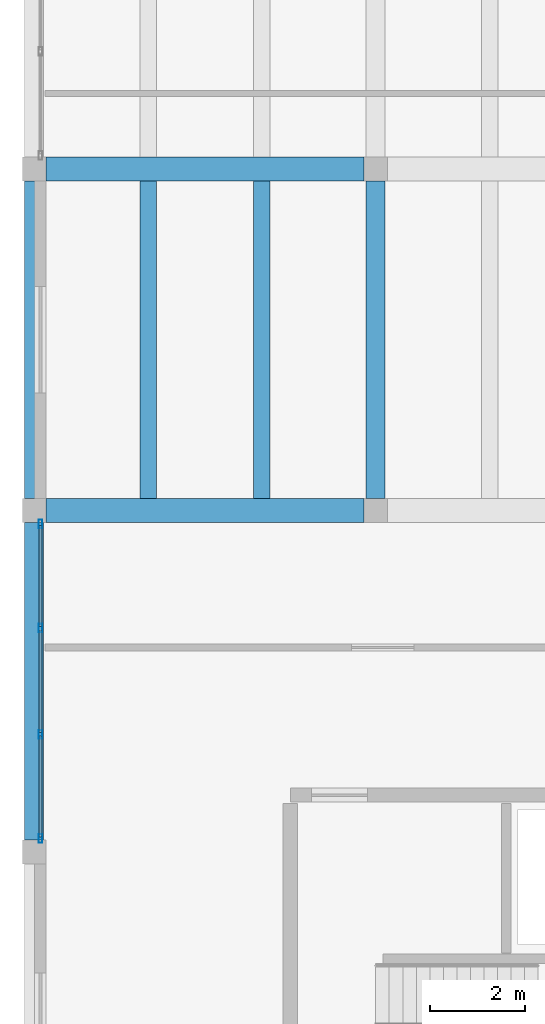
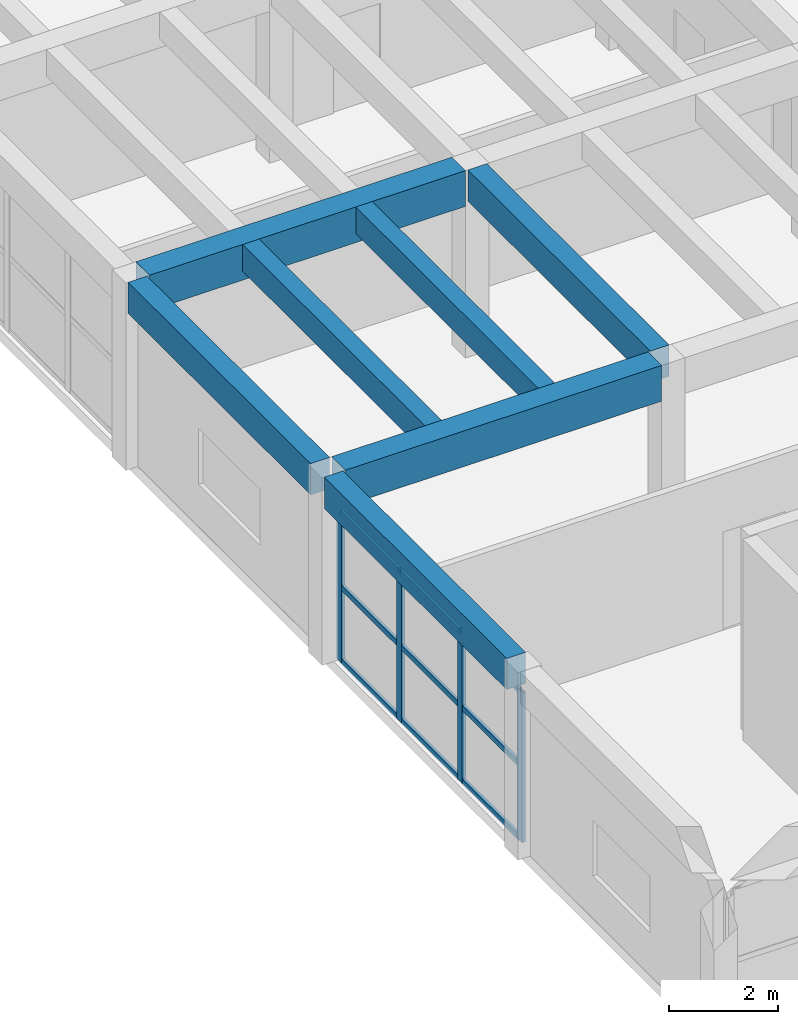
# One storey, part 11 of 153: 13 members, 7 beams, 1 element without a shape of its own.
"""IFC4 building model written with IfcOpenShell, lengths in metres."""

from ifc_helpers import new_model, si_unit, direction, frame, origin, origin_2d, place, context, subcontext, project, spatial, rectangle, hollow_rectangle, extrude, material, material_profile, profile_set, type_object, element, aggregate, save


model = new_model("IFC4")

# Units and contexts
model_context = context("Model", 3, precision=1e-05, world=origin(), true_north=direction((0.0, 1.0)))
body_context = subcontext(model_context, "Body", "Model", "MODEL_VIEW")
ifc_project = project(units=[si_unit("LENGTHUNIT", "METRE"), si_unit("AREAUNIT", "SQUARE_METRE"), si_unit("VOLUMEUNIT", "CUBIC_METRE"), si_unit("PLANEANGLEUNIT", "RADIAN"), si_unit("MASSUNIT", "GRAM", prefix="KILO")], contexts=[model_context])

# Site, building, storey
site_placement = place(None, origin())
site = spatial("IfcSite", under=ifc_project, at=site_placement, CompositionType="ELEMENT")
building_placement = place(site_placement, origin())
building = spatial("IfcBuilding", under=site, at=building_placement, Name="Bramvelor Terrace Health Centre", CompositionType="ELEMENT")
storey_placement = place(building_placement, frame((0.0, 0.0, 4.800048828125)))
storey = spatial("IfcBuildingStorey", under=building, at=storey_placement, Name="L02", CompositionType="ELEMENT", Elevation=4.800048828125)

# Beams
ifc_material_1 = material(Name="Concrete C40/50", Category="concrete")
ifc_material_profile_1 = material_profile(ifc_material_1, rectangle(XDim=0.39990234375, YDim=0.699951171875, at=origin_2d()), Name="RC 400x700")
ifc_profile_set_1 = profile_set([ifc_material_profile_1], Name="Concrete C40/50")
beam_type_1 = type_object("IfcBeamType", Name="BM-RC-G700", PredefinedType="BEAM", material=ifc_profile_set_1)
beam_placement = place(storey_placement, frame((7.199951171875, 43.449951171875, 3.849853515625), z_axis=(0.0, 1.0, 0.0), x_axis=(-1.0, 0.0, 0.0)))
element("IfcBeam", 1, at=beam_placement, inside=storey, type_object=beam_type_1, Name="L02 Floor Girder", PredefinedType="BEAM", context=body_context, shape_type="SweptSolid", body=[
    extrude(rectangle(XDim=0.39990234375, YDim=0.699951171875, at=origin_2d()), origin(), (0.0, 0.0, 1.0), 6.699951171875),
])
ifc_material_2 = material(Name="Concrete C40/50", Category="concrete")
ifc_material_profile_2 = material_profile(ifc_material_2, rectangle(XDim=0.5, YDim=0.800048828125, at=origin_2d()), Name="RC 500x800")
ifc_profile_set_2 = profile_set([ifc_material_profile_2], Name="Concrete C40/50")
beam_type_2 = type_object("IfcBeamType", Name="BM-RC-G800", PredefinedType="BEAM", material=ifc_profile_set_2)
for number, where, z_axis, x_axis, name in (
    (2, (0.25, 43.199951171875, 3.800048828125), (1.0, 0.0, 0.0), (0.0, 1.0, 0.0), "L02 Floor Girder"),
    (3, (0.25, 50.39990234375, 3.800048828125), (1.0, 0.0, 0.0), (0.0, 1.0, 0.0), "L02 Floor Girder"),
):
    element("IfcBeam", number, at=place(storey_placement, frame(where, z_axis=z_axis, x_axis=x_axis)), inside=storey, type_object=beam_type_2, Name=name, PredefinedType="BEAM", context=body_context, shape_type="SweptSolid", body=[
        extrude(rectangle(XDim=0.5, YDim=0.800048828125, at=origin_2d()), origin(), (0.0, 0.0, 1.0), 6.699951171875),
    ])
ifc_material_3 = material(Name="Concrete C40/50", Category="concrete")
ifc_material_profile_3 = material_profile(ifc_material_3, rectangle(XDim=0.35009765625, YDim=0.60009765625, at=origin_2d()), Name="RC 350x600")
ifc_profile_set_3 = profile_set([ifc_material_profile_3], Name="Concrete C40/50")
beam_type_3 = type_object("IfcBeamType", Name="BM-RC-J600", PredefinedType="JOIST", material=ifc_profile_set_3)
for number, where, z_axis, x_axis, name in (
    (4, (2.39990234375, 43.449951171875, 3.89990234375), (0.0, 1.0, 0.0), (-1.0, 0.0, 0.0), "L02 Secondary Floor Joist"),
    (5, (4.800048828125, 43.449951171875, 3.89990234375), (0.0, 1.0, 0.0), (-1.0, 0.0, 0.0), "L02 Secondary Floor Joist"),
):
    element("IfcBeam", number, at=place(storey_placement, frame(where, z_axis=z_axis, x_axis=x_axis)), inside=storey, type_object=beam_type_3, Name=name, PredefinedType="JOIST", context=body_context, shape_type="SweptSolid", body=[
        extrude(rectangle(XDim=0.35009765625, YDim=0.60009765625, at=origin_2d()), origin(), (0.0, 0.0, 1.0), 6.699951171875),
    ])
ifc_material_4 = material(Name="Concrete C40/50", Category="concrete")
ifc_material_profile_4 = material_profile(ifc_material_4, rectangle(XDim=0.39990234375, YDim=0.699951171875, at=origin_2d()), Name="RC 400x700")
ifc_profile_set_4 = profile_set([ifc_material_profile_4], Name="Concrete C40/50")
beam_type_4 = type_object("IfcBeamType", Name="BM-RC-SP700-EXT", PredefinedType="SPANDREL", material=ifc_profile_set_4)
for number, where, z_axis, x_axis, name in (
    (6, (0.0, 36.25, 3.849853515625), (0.0, 1.0, 0.0), (-1.0, 0.0, 0.0), "L02 Floor Girder"),
    (7, (0.0, 43.449951171875, 3.849853515625), (0.0, 1.0, 0.0), (-1.0, 0.0, 0.0), "L02 Floor Girder"),
):
    element("IfcBeam", number, at=place(storey_placement, frame(where, z_axis=z_axis, x_axis=x_axis)), inside=storey, type_object=beam_type_4, Name=name, PredefinedType="SPANDREL", context=body_context, shape_type="SweptSolid", body=[
        extrude(rectangle(XDim=0.39990234375, YDim=0.699951171875, at=origin_2d()), origin(), (0.0, 0.0, 1.0), 6.699951171875),
    ])

# Curtain wall, members
ifc_material_5 = material(Name="Anodized aluminium and double low-E glass", Category="aluminium")
curtain_wall_type = type_object("IfcCurtainWallType", Name="CW-SYS-16", PredefinedType="NOTDEFINED", material=ifc_material_5)
curtain_wall_placement = place(storey_placement, origin())
curtain_wall = element("IfcCurtainWall", 8, at=curtain_wall_placement, inside=storey, type_object=curtain_wall_type, Name="L02 Unitized Curtain Wall 126", PredefinedType="NOTDEFINED")
ifc_material_6 = material(Name="Anodized aluminium 6063-T6", Category="aluminium")
ifc_material_profile_5 = material_profile(ifc_material_6, hollow_rectangle(XDim=0.074951171875, YDim=0.179931640625, WallThickness=0.00341796875, at=origin_2d()), Name="ALU-MUL 75x180x3.5")
ifc_profile_set_5 = profile_set([ifc_material_profile_5], Name="Anodized aluminium 6063-T6")
member_type_1 = type_object("IfcMemberType", Name="CW-MUL-65x180", PredefinedType="MULLION", material=ifc_profile_set_5)
member_1_placement = place(storey_placement, frame((0.1298828125, 36.282470703125, 0.0), z_axis=(0.0, 0.0, 1.0), x_axis=(-1.0, 0.0, 0.0)))
member_1 = element("IfcMember", 9, at=member_1_placement, type_object=member_type_1, Name="CW-16 mullion 1", PredefinedType="MULLION", context=body_context, shape_type="SweptSolid", body=[
    extrude(hollow_rectangle(XDim=0.074951171875, YDim=0.179931640625, WallThickness=0.00341796875, at=origin_2d()), origin(), (0.0, 0.0, 1.0), 3.35986328125),
])
member_2_placement = place(storey_placement, frame((0.1298828125, 38.481689453125, 0.0), z_axis=(0.0, 0.0, 1.0), x_axis=(-1.0, 0.0, 0.0)))
member_2 = element("IfcMember", 10, at=member_2_placement, type_object=member_type_1, Name="CW-16 mullion 2", PredefinedType="MULLION", context=body_context, shape_type="SweptSolid", body=[
    extrude(hollow_rectangle(XDim=0.074951171875, YDim=0.179931640625, WallThickness=0.00341796875, at=origin_2d()), origin(), (0.0, 0.0, 1.0), 3.35986328125),
])
member_3_placement = place(storey_placement, frame((0.1298828125, 40.71826171875, 0.0), z_axis=(0.0, 0.0, 1.0), x_axis=(-1.0, 0.0, 0.0)))
member_3 = element("IfcMember", 11, at=member_3_placement, type_object=member_type_1, Name="CW-16 mullion 3", PredefinedType="MULLION", context=body_context, shape_type="SweptSolid", body=[
    extrude(hollow_rectangle(XDim=0.074951171875, YDim=0.179931640625, WallThickness=0.00341796875, at=origin_2d()), origin(), (0.0, 0.0, 1.0), 3.35986328125),
])
member_4_placement = place(storey_placement, frame((0.1298828125, 42.91748046875, 0.0), z_axis=(0.0, 0.0, 1.0), x_axis=(-1.0, 0.0, 0.0)))
member_4 = element("IfcMember", 12, at=member_4_placement, type_object=member_type_1, Name="CW-16 mullion 4", PredefinedType="MULLION", context=body_context, shape_type="SweptSolid", body=[
    extrude(hollow_rectangle(XDim=0.074951171875, YDim=0.179931640625, WallThickness=0.00341796875, at=origin_2d()), origin(), (0.0, 0.0, 1.0), 3.35986328125),
])
ifc_material_7 = material(Name="Anodized aluminium 6063-T6", Category="aluminium")
ifc_material_profile_6 = material_profile(ifc_material_7, hollow_rectangle(XDim=0.06494140625, YDim=0.1201171875, WallThickness=0.0029296875, at=origin_2d()), Name="ALU-TRN 65x120x3.0")
ifc_profile_set_6 = profile_set([ifc_material_profile_6], Name="Anodized aluminium 6063-T6")
member_type_2 = type_object("IfcMemberType", Name="CW-TRN-65x150", PredefinedType="USERDEFINED", material=ifc_profile_set_6)
member_5_placement = place(storey_placement, frame((0.1298828125, 36.320068359375, 0.032470703125), z_axis=(0.0, 1.0, 0.0), x_axis=(-1.0, 0.0, 0.0)))
member_5 = element("IfcMember", 13, at=member_5_placement, type_object=member_type_2, Name="CW-16 transom 1.1", ObjectType="TRANSOM", PredefinedType="USERDEFINED", context=body_context, shape_type="SweptSolid", body=[
    extrude(hollow_rectangle(XDim=0.06494140625, YDim=0.1201171875, WallThickness=0.0029296875, at=origin_2d()), origin(), (0.0, 0.0, 1.0), 2.1240234375),
])
member_6_placement = place(storey_placement, frame((0.1298828125, 36.320068359375, 1.679931640625), z_axis=(0.0, 1.0, 0.0), x_axis=(-1.0, 0.0, 0.0)))
member_6 = element("IfcMember", 14, at=member_6_placement, type_object=member_type_2, Name="CW-16 transom 1.2", ObjectType="TRANSOM", PredefinedType="USERDEFINED", context=body_context, shape_type="SweptSolid", body=[
    extrude(hollow_rectangle(XDim=0.06494140625, YDim=0.1201171875, WallThickness=0.0029296875, at=origin_2d()), origin(), (0.0, 0.0, 1.0), 2.1240234375),
])
member_7_placement = place(storey_placement, frame((0.1298828125, 36.320068359375, 3.327392578125), z_axis=(0.0, 1.0, 0.0), x_axis=(-1.0, 0.0, 0.0)))
member_7 = element("IfcMember", 15, at=member_7_placement, type_object=member_type_2, Name="CW-16 transom 1.3", ObjectType="TRANSOM", PredefinedType="USERDEFINED", context=body_context, shape_type="SweptSolid", body=[
    extrude(hollow_rectangle(XDim=0.06494140625, YDim=0.1201171875, WallThickness=0.0029296875, at=origin_2d()), origin(), (0.0, 0.0, 1.0), 2.1240234375),
])
member_8_placement = place(storey_placement, frame((0.1298828125, 38.519287109375, 0.032470703125), z_axis=(0.0, 1.0, 0.0), x_axis=(-1.0, 0.0, 0.0)))
member_8 = element("IfcMember", 16, at=member_8_placement, type_object=member_type_2, Name="CW-16 transom 2.1", ObjectType="TRANSOM", PredefinedType="USERDEFINED", context=body_context, shape_type="SweptSolid", body=[
    extrude(hollow_rectangle(XDim=0.06494140625, YDim=0.1201171875, WallThickness=0.0029296875, at=origin_2d()), origin(), (0.0, 0.0, 1.0), 2.16162109375),
])
member_9_placement = place(storey_placement, frame((0.1298828125, 38.519287109375, 1.679931640625), z_axis=(0.0, 1.0, 0.0), x_axis=(-1.0, 0.0, 0.0)))
member_9 = element("IfcMember", 17, at=member_9_placement, type_object=member_type_2, Name="CW-16 transom 2.2", ObjectType="TRANSOM", PredefinedType="USERDEFINED", context=body_context, shape_type="SweptSolid", body=[
    extrude(hollow_rectangle(XDim=0.06494140625, YDim=0.1201171875, WallThickness=0.0029296875, at=origin_2d()), origin(), (0.0, 0.0, 1.0), 2.16162109375),
])
member_10_placement = place(storey_placement, frame((0.1298828125, 38.519287109375, 3.327392578125), z_axis=(0.0, 1.0, 0.0), x_axis=(-1.0, 0.0, 0.0)))
member_10 = element("IfcMember", 18, at=member_10_placement, type_object=member_type_2, Name="CW-16 transom 2.3", ObjectType="TRANSOM", PredefinedType="USERDEFINED", context=body_context, shape_type="SweptSolid", body=[
    extrude(hollow_rectangle(XDim=0.06494140625, YDim=0.1201171875, WallThickness=0.0029296875, at=origin_2d()), origin(), (0.0, 0.0, 1.0), 2.16162109375),
])
member_11_placement = place(storey_placement, frame((0.1298828125, 40.755859375, 0.032470703125), z_axis=(0.0, 1.0, 0.0), x_axis=(-1.0, 0.0, 0.0)))
member_11 = element("IfcMember", 19, at=member_11_placement, type_object=member_type_2, Name="CW-16 transom 3.1", ObjectType="TRANSOM", PredefinedType="USERDEFINED", context=body_context, shape_type="SweptSolid", body=[
    extrude(hollow_rectangle(XDim=0.06494140625, YDim=0.1201171875, WallThickness=0.0029296875, at=origin_2d()), origin(), (0.0, 0.0, 1.0), 2.1240234375),
])
member_12_placement = place(storey_placement, frame((0.1298828125, 40.755859375, 1.679931640625), z_axis=(0.0, 1.0, 0.0), x_axis=(-1.0, 0.0, 0.0)))
member_12 = element("IfcMember", 20, at=member_12_placement, type_object=member_type_2, Name="CW-16 transom 3.2", ObjectType="TRANSOM", PredefinedType="USERDEFINED", context=body_context, shape_type="SweptSolid", body=[
    extrude(hollow_rectangle(XDim=0.06494140625, YDim=0.1201171875, WallThickness=0.0029296875, at=origin_2d()), origin(), (0.0, 0.0, 1.0), 2.1240234375),
])
member_13_placement = place(storey_placement, frame((0.1298828125, 40.755859375, 3.327392578125), z_axis=(0.0, 1.0, 0.0), x_axis=(-1.0, 0.0, 0.0)))
member_13 = element("IfcMember", 21, at=member_13_placement, type_object=member_type_2, Name="CW-16 transom 3.3", ObjectType="TRANSOM", PredefinedType="USERDEFINED", context=body_context, shape_type="SweptSolid", body=[
    extrude(hollow_rectangle(XDim=0.06494140625, YDim=0.1201171875, WallThickness=0.0029296875, at=origin_2d()), origin(), (0.0, 0.0, 1.0), 2.1240234375),
])
aggregate(curtain_wall, [member_1, member_2, member_3, member_4, member_5, member_6, member_7, member_8, member_9, member_10, member_11, member_12, member_13])

save(model, "model.ifc")
